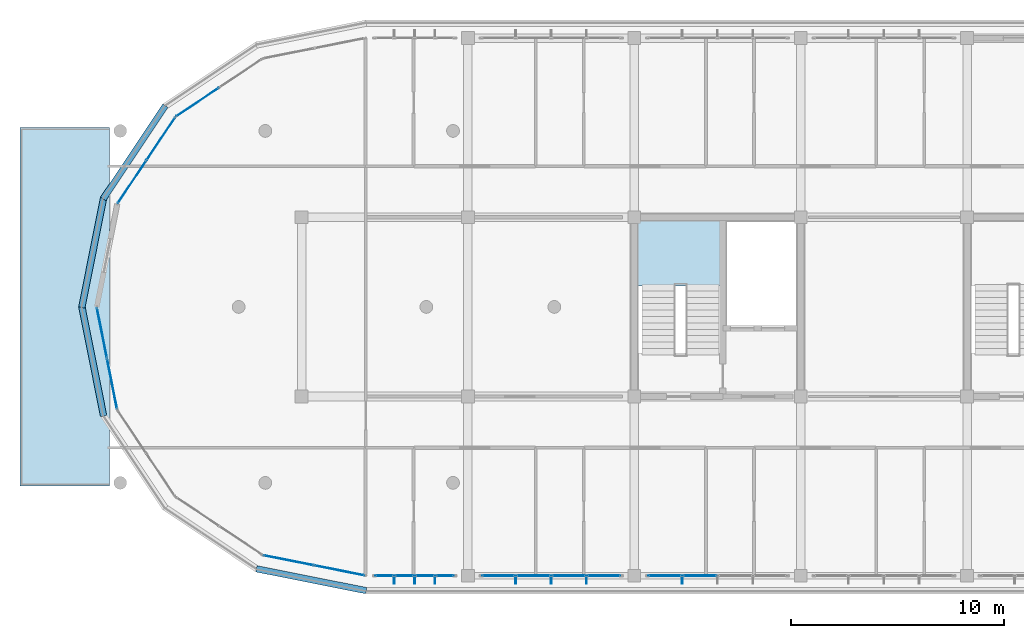
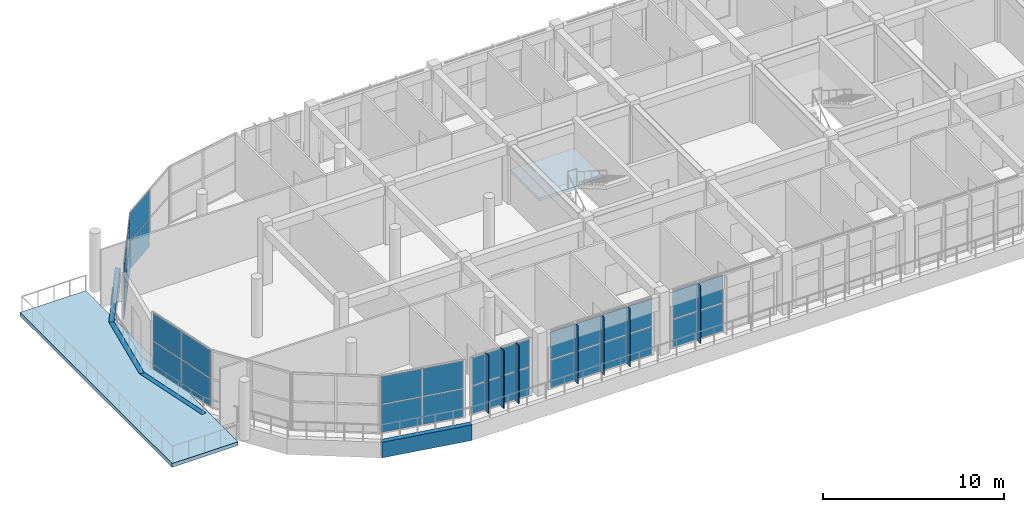
# One storey, part 36 of 56: 45 plates, 2 slabs, 8 elements without a shape of their own.
"""IFC4 building model written with IfcOpenShell, lengths in metres."""

from ifc_helpers import new_model, si_unit, direction, frame, origin, origin_2d, place, context, subcontext, project, spatial, polyline, rectangle, outline, extrude, material, layer, layer_set, type_object, element, aggregate, save


model = new_model("IFC4")

# Units and contexts
model_context = context("Model", 3, precision=1e-05, world=origin(), true_north=direction((0.0, 1.0)))
body_context = subcontext(model_context, "Body", "Model", "MODEL_VIEW")
ifc_project = project(units=[si_unit("LENGTHUNIT", "METRE"), si_unit("AREAUNIT", "SQUARE_METRE"), si_unit("VOLUMEUNIT", "CUBIC_METRE"), si_unit("PLANEANGLEUNIT", "RADIAN"), si_unit("MASSUNIT", "GRAM", prefix="KILO")], contexts=[model_context])

# Site, building, storey
site_placement = place(None, origin())
site = spatial("IfcSite", under=ifc_project, at=site_placement, CompositionType="ELEMENT")
building_placement = place(site_placement, origin())
building = spatial("IfcBuilding", under=site, at=building_placement, Name="Zizhar Promenade General Hospital", CompositionType="ELEMENT")
storey_placement = place(building_placement, frame((0.0, 0.0, 26.39990234375)))
storey = spatial("IfcBuildingStorey", under=building, at=storey_placement, Name="L06", CompositionType="ELEMENT", Elevation=26.39990234375)

# Curtain wall, plates
ifc_material_1 = material(Name="Anodised aluminium 6063-T6 and low-E glass", Category="aluminium")
ifc_layer_1 = layer(ifc_material_1, 0.159912109375)
ifc_layer_set_1 = layer_set([ifc_layer_1], Name="Anodised aluminium 6063-T6 and low-E glass")
curtain_wall_type_1 = type_object("IfcCurtainWallType", Name="CW-WARD-ARC", PredefinedType="NOTDEFINED", material=ifc_layer_set_1)
curtain_wall_1_placement = place(storey_placement, origin())
curtain_wall_1 = element("IfcCurtainWall", 1, at=curtain_wall_1_placement, inside=storey, type_object=curtain_wall_type_1, Name="Ward Semicircular End Glazing L06-11", PredefinedType="NOTDEFINED")
ifc_material_2 = material(Name="Low-E solar-control glass", Category="glass")
ifc_layer_2 = layer(ifc_material_2, 0.031982421875)
ifc_layer_set_2 = layer_set([ifc_layer_2], Name="Low-E solar-control glass")
plate_type_1 = type_object("IfcPlateType", Name="CWP-GLZ-32", PredefinedType="CURTAIN_PANEL", material=ifc_layer_set_2)
plate_1_placement = place(storey_placement, frame((26.324951171875, 22.20068359375, 0.06005859375), z_axis=(0.0, 0.0, 1.0), x_axis=(0.831461514468, 0.555582352095, 0.0)))
plate_1 = element("IfcPlate", 2, at=plate_1_placement, type_object=plate_type_1, Name="CW-12 panel 1.1", PredefinedType="CURTAIN_PANEL", context=body_context, shape_type="SweptSolid", body=[
    extrude(rectangle(XDim=2.3681640625, YDim=0.031982421875, at=origin_2d()), origin(), (0.0, 0.0, 1.0), 1.860107421875),
])
plate_2_placement = place(storey_placement, frame((26.324951171875, 22.20068359375, 1.97998046875), z_axis=(0.0, 0.0, 1.0), x_axis=(0.831461514468, 0.555582352095, 0.0)))
plate_2 = element("IfcPlate", 3, at=plate_2_placement, type_object=plate_type_1, Name="CW-12 panel 1.2", PredefinedType="CURTAIN_PANEL", context=body_context, shape_type="SweptSolid", body=[
    extrude(rectangle(XDim=2.3681640625, YDim=0.031982421875, at=origin_2d()), origin(), (0.0, 0.0, 1.0), 1.860107421875),
])
aggregate(curtain_wall_1, [plate_1, plate_2])

curtain_wall_2_placement = place(storey_placement, origin())
curtain_wall_2 = element("IfcCurtainWall", 4, at=curtain_wall_2_placement, inside=storey, type_object=curtain_wall_type_1, Name="Ward Semicircular End Glazing L06-12", PredefinedType="NOTDEFINED")
plate_3_placement = place(storey_placement, frame((23.250244140625, 18.456298828125, 0.06005859375), z_axis=(0.0, 0.0, 1.0), x_axis=(0.555582352095, 0.831461514468, 0.0)))
plate_3 = element("IfcPlate", 5, at=plate_3_placement, type_object=plate_type_1, Name="CW-12 panel 1.1", PredefinedType="CURTAIN_PANEL", context=body_context, shape_type="SweptSolid", body=[
    extrude(rectangle(XDim=2.3681640625, YDim=0.031982421875, at=origin_2d()), origin(), (0.0, 0.0, 1.0), 1.860107421875),
])
plate_4_placement = place(storey_placement, frame((23.250244140625, 18.456298828125, 1.97998046875), z_axis=(0.0, 0.0, 1.0), x_axis=(0.555582352095, 0.831461514468, 0.0)))
plate_4 = element("IfcPlate", 6, at=plate_4_placement, type_object=plate_type_1, Name="CW-12 panel 1.2", PredefinedType="CURTAIN_PANEL", context=body_context, shape_type="SweptSolid", body=[
    extrude(rectangle(XDim=2.3681640625, YDim=0.031982421875, at=origin_2d()), origin(), (0.0, 0.0, 1.0), 1.860107421875),
])
plate_5_placement = place(storey_placement, frame((24.599365234375, 20.47509765625, 0.06005859375), z_axis=(0.0, 0.0, 1.0), x_axis=(0.555582352095, 0.831461514468, 0.0)))
plate_5 = element("IfcPlate", 7, at=plate_5_placement, type_object=plate_type_1, Name="CW-12 panel 2.1", PredefinedType="CURTAIN_PANEL", context=body_context, shape_type="SweptSolid", body=[
    extrude(rectangle(XDim=2.3681640625, YDim=0.031982421875, at=origin_2d()), origin(), (0.0, 0.0, 1.0), 1.860107421875),
])
plate_6_placement = place(storey_placement, frame((24.599365234375, 20.47509765625, 1.97998046875), z_axis=(0.0, 0.0, 1.0), x_axis=(0.555582352095, 0.831461514468, 0.0)))
plate_6 = element("IfcPlate", 8, at=plate_6_placement, type_object=plate_type_1, Name="CW-12 panel 2.2", PredefinedType="CURTAIN_PANEL", context=body_context, shape_type="SweptSolid", body=[
    extrude(rectangle(XDim=2.3681640625, YDim=0.031982421875, at=origin_2d()), origin(), (0.0, 0.0, 1.0), 1.860107421875),
])
aggregate(curtain_wall_2, [plate_3, plate_4, plate_5, plate_6])

curtain_wall_3_placement = place(storey_placement, origin())
curtain_wall_3 = element("IfcCurtainWall", 9, at=curtain_wall_3_placement, inside=storey, type_object=curtain_wall_type_1, Name="Ward Semicircular End Glazing L06-14", PredefinedType="NOTDEFINED")
plate_7_placement = place(storey_placement, frame((22.31640625, 8.998291015625, 0.06005859375), z_axis=(0.0, 0.0, 1.0), x_axis=(-0.195087259275, 0.980785889615, 0.0)))
plate_7 = element("IfcPlate", 10, at=plate_7_placement, type_object=plate_type_1, Name="CW-12 panel 1.1", PredefinedType="CURTAIN_PANEL", context=body_context, shape_type="SweptSolid", body=[
    extrude(rectangle(XDim=2.3681640625, YDim=0.031982421875, at=origin_2d()), origin(), (0.0, 0.0, 1.0), 1.860107421875),
])
plate_8_placement = place(storey_placement, frame((22.31640625, 8.998291015625, 1.97998046875), z_axis=(0.0, 0.0, 1.0), x_axis=(-0.195087259275, 0.980785889615, 0.0)))
plate_8 = element("IfcPlate", 11, at=plate_8_placement, type_object=plate_type_1, Name="CW-12 panel 1.2", PredefinedType="CURTAIN_PANEL", context=body_context, shape_type="SweptSolid", body=[
    extrude(rectangle(XDim=2.3681640625, YDim=0.031982421875, at=origin_2d()), origin(), (0.0, 0.0, 1.0), 1.860107421875),
])
plate_9_placement = place(storey_placement, frame((21.8427734375, 11.3798828125, 0.06005859375), z_axis=(0.0, 0.0, 1.0), x_axis=(-0.195087259275, 0.980785889615, 0.0)))
plate_9 = element("IfcPlate", 12, at=plate_9_placement, type_object=plate_type_1, Name="CW-12 panel 2.1", PredefinedType="CURTAIN_PANEL", context=body_context, shape_type="SweptSolid", body=[
    extrude(rectangle(XDim=2.3681640625, YDim=0.031982421875, at=origin_2d()), origin(), (0.0, 0.0, 1.0), 1.860107421875),
])
plate_10_placement = place(storey_placement, frame((21.8427734375, 11.3798828125, 1.97998046875), z_axis=(0.0, 0.0, 1.0), x_axis=(-0.195087259275, 0.980785889615, 0.0)))
plate_10 = element("IfcPlate", 13, at=plate_10_placement, type_object=plate_type_1, Name="CW-12 panel 2.2", PredefinedType="CURTAIN_PANEL", context=body_context, shape_type="SweptSolid", body=[
    extrude(rectangle(XDim=2.3681640625, YDim=0.031982421875, at=origin_2d()), origin(), (0.0, 0.0, 1.0), 1.860107421875),
])
aggregate(curtain_wall_3, [plate_7, plate_8, plate_9, plate_10])

curtain_wall_4_placement = place(storey_placement, origin())
curtain_wall_4 = element("IfcCurtainWall", 14, at=curtain_wall_4_placement, inside=storey, type_object=curtain_wall_type_1, Name="Ward Semicircular End Glazing L06-17", PredefinedType="NOTDEFINED")
plate_11_placement = place(storey_placement, frame((32.979736328125, 0.24267578125, 0.06005859375), z_axis=(0.0, 0.0, 1.0), x_axis=(-0.980785889615, 0.195087259275, 0.0)))
plate_11 = element("IfcPlate", 15, at=plate_11_placement, type_object=plate_type_1, Name="CW-12 panel 1.1", PredefinedType="CURTAIN_PANEL", context=body_context, shape_type="SweptSolid", body=[
    extrude(rectangle(XDim=2.3681640625, YDim=0.031982421875, at=origin_2d()), origin(), (0.0, 0.0, 1.0), 1.860107421875),
])
plate_12_placement = place(storey_placement, frame((32.979736328125, 0.24267578125, 1.97998046875), z_axis=(0.0, 0.0, 1.0), x_axis=(-0.980785889615, 0.195087259275, 0.0)))
plate_12 = element("IfcPlate", 16, at=plate_12_placement, type_object=plate_type_1, Name="CW-12 panel 1.2", PredefinedType="CURTAIN_PANEL", context=body_context, shape_type="SweptSolid", body=[
    extrude(rectangle(XDim=2.3681640625, YDim=0.031982421875, at=origin_2d()), origin(), (0.0, 0.0, 1.0), 1.860107421875),
])
plate_13_placement = place(storey_placement, frame((30.598388671875, 0.71630859375, 0.06005859375), z_axis=(0.0, 0.0, 1.0), x_axis=(-0.980785889615, 0.195087259275, 0.0)))
plate_13 = element("IfcPlate", 17, at=plate_13_placement, type_object=plate_type_1, Name="CW-12 panel 2.1", PredefinedType="CURTAIN_PANEL", context=body_context, shape_type="SweptSolid", body=[
    extrude(rectangle(XDim=2.3681640625, YDim=0.031982421875, at=origin_2d()), origin(), (0.0, 0.0, 1.0), 1.860107421875),
])
plate_14_placement = place(storey_placement, frame((30.598388671875, 0.71630859375, 1.97998046875), z_axis=(0.0, 0.0, 1.0), x_axis=(-0.980785889615, 0.195087259275, 0.0)))
plate_14 = element("IfcPlate", 18, at=plate_14_placement, type_object=plate_type_1, Name="CW-12 panel 2.2", PredefinedType="CURTAIN_PANEL", context=body_context, shape_type="SweptSolid", body=[
    extrude(rectangle(XDim=2.3681640625, YDim=0.031982421875, at=origin_2d()), origin(), (0.0, 0.0, 1.0), 1.860107421875),
])
aggregate(curtain_wall_4, [plate_11, plate_12, plate_13, plate_14])

ifc_material_3 = material(Name="Anodised aluminium 6063-T6 and low-E glass", Category="aluminium")
ifc_layer_3 = layer(ifc_material_3, 0.159912109375)
ifc_layer_set_3 = layer_set([ifc_layer_3], Name="Anodised aluminium 6063-T6 and low-E glass")
curtain_wall_type_2 = type_object("IfcCurtainWallType", Name="CW-WARD-RIB", PredefinedType="NOTDEFINED", material=ifc_layer_set_3)
curtain_wall_5_placement = place(storey_placement, origin())
curtain_wall_5 = element("IfcCurtainWall", 19, at=curtain_wall_5_placement, inside=storey, type_object=curtain_wall_type_2, Name="Ward Ribbon Curtain Wall L06-17-8", PredefinedType="NOTDEFINED")
plate_15_placement = place(storey_placement, frame((49.8701171875, 0.0, 0.06005859375), z_axis=(0.0, 0.0, 1.0), x_axis=(-1.0, 0.0, 0.0)))
plate_15 = element("IfcPlate", 20, at=plate_15_placement, type_object=plate_type_1, Name="CW-13 panel 3.1", PredefinedType="CURTAIN_PANEL", context=body_context, shape_type="SweptSolid", body=[
    extrude(rectangle(XDim=1.580078125, YDim=0.031982421875, at=origin_2d()), origin(), (0.0, 0.0, 1.0), 1.860107421875),
])
plate_16_placement = place(storey_placement, frame((49.8701171875, 0.0, 1.97998046875), z_axis=(0.0, 0.0, 1.0), x_axis=(-1.0, 0.0, 0.0)))
plate_16 = element("IfcPlate", 21, at=plate_16_placement, type_object=plate_type_1, Name="CW-13 panel 3.2", PredefinedType="CURTAIN_PANEL", context=body_context, shape_type="SweptSolid", body=[
    extrude(rectangle(XDim=1.580078125, YDim=0.031982421875, at=origin_2d()), origin(), (0.0, 0.0, 1.0), 1.860107421875),
])
plate_17_placement = place(storey_placement, frame((48.22998046875, 0.0, 0.06005859375), z_axis=(0.0, 0.0, 1.0), x_axis=(-1.0, 0.0, 0.0)))
plate_17 = element("IfcPlate", 22, at=plate_17_placement, type_object=plate_type_1, Name="CW-13 panel 4.1", PredefinedType="CURTAIN_PANEL", context=body_context, shape_type="SweptSolid", body=[
    extrude(rectangle(XDim=1.5400390625, YDim=0.031982421875, at=origin_2d()), origin(), (0.0, 0.0, 1.0), 1.860107421875),
])
plate_18_placement = place(storey_placement, frame((48.22998046875, 0.0, 1.97998046875), z_axis=(0.0, 0.0, 1.0), x_axis=(-1.0, 0.0, 0.0)))
plate_18 = element("IfcPlate", 23, at=plate_18_placement, type_object=plate_type_1, Name="CW-13 panel 4.2", PredefinedType="CURTAIN_PANEL", context=body_context, shape_type="SweptSolid", body=[
    extrude(rectangle(XDim=1.5400390625, YDim=0.031982421875, at=origin_2d()), origin(), (0.0, 0.0, 1.0), 1.860107421875),
])
aggregate(curtain_wall_5, [plate_15, plate_16, plate_17, plate_18])

curtain_wall_6_placement = place(storey_placement, origin())
curtain_wall_6 = element("IfcCurtainWall", 24, at=curtain_wall_6_placement, inside=storey, type_object=curtain_wall_type_2, Name="Ward Ribbon Curtain Wall L06-17-9", PredefinedType="NOTDEFINED")
plate_19_placement = place(storey_placement, frame((45.3701171875, 0.0, 0.06005859375), z_axis=(0.0, 0.0, 1.0), x_axis=(-1.0, 0.0, 0.0)))
plate_19 = element("IfcPlate", 25, at=plate_19_placement, type_object=plate_type_1, Name="CW-13 panel 1.1", PredefinedType="CURTAIN_PANEL", context=body_context, shape_type="SweptSolid", body=[
    extrude(rectangle(XDim=1.5400390625, YDim=0.031982421875, at=origin_2d()), origin(), (0.0, 0.0, 1.0), 1.860107421875),
])
plate_20_placement = place(storey_placement, frame((45.3701171875, 0.0, 1.97998046875), z_axis=(0.0, 0.0, 1.0), x_axis=(-1.0, 0.0, 0.0)))
plate_20 = element("IfcPlate", 26, at=plate_20_placement, type_object=plate_type_1, Name="CW-13 panel 1.2", PredefinedType="CURTAIN_PANEL", context=body_context, shape_type="SweptSolid", body=[
    extrude(rectangle(XDim=1.5400390625, YDim=0.031982421875, at=origin_2d()), origin(), (0.0, 0.0, 1.0), 1.860107421875),
])
plate_21_placement = place(storey_placement, frame((43.72998046875, 0.0, 0.06005859375), z_axis=(0.0, 0.0, 1.0), x_axis=(-1.0, 0.0, 0.0)))
plate_21 = element("IfcPlate", 27, at=plate_21_placement, type_object=plate_type_1, Name="CW-13 panel 2.1", PredefinedType="CURTAIN_PANEL", context=body_context, shape_type="SweptSolid", body=[
    extrude(rectangle(XDim=1.580078125, YDim=0.031982421875, at=origin_2d()), origin(), (0.0, 0.0, 1.0), 1.860107421875),
])
plate_22_placement = place(storey_placement, frame((43.72998046875, 0.0, 1.97998046875), z_axis=(0.0, 0.0, 1.0), x_axis=(-1.0, 0.0, 0.0)))
plate_22 = element("IfcPlate", 28, at=plate_22_placement, type_object=plate_type_1, Name="CW-13 panel 2.2", PredefinedType="CURTAIN_PANEL", context=body_context, shape_type="SweptSolid", body=[
    extrude(rectangle(XDim=1.580078125, YDim=0.031982421875, at=origin_2d()), origin(), (0.0, 0.0, 1.0), 1.860107421875),
])
plate_23_placement = place(storey_placement, frame((42.070068359375, 0.0, 0.06005859375), z_axis=(0.0, 0.0, 1.0), x_axis=(-1.0, 0.0, 0.0)))
plate_23 = element("IfcPlate", 29, at=plate_23_placement, type_object=plate_type_1, Name="CW-13 panel 3.1", PredefinedType="CURTAIN_PANEL", context=body_context, shape_type="SweptSolid", body=[
    extrude(rectangle(XDim=1.580078125, YDim=0.031982421875, at=origin_2d()), origin(), (0.0, 0.0, 1.0), 1.860107421875),
])
plate_24_placement = place(storey_placement, frame((42.070068359375, 0.0, 1.97998046875), z_axis=(0.0, 0.0, 1.0), x_axis=(-1.0, 0.0, 0.0)))
plate_24 = element("IfcPlate", 30, at=plate_24_placement, type_object=plate_type_1, Name="CW-13 panel 3.2", PredefinedType="CURTAIN_PANEL", context=body_context, shape_type="SweptSolid", body=[
    extrude(rectangle(XDim=1.580078125, YDim=0.031982421875, at=origin_2d()), origin(), (0.0, 0.0, 1.0), 1.860107421875),
])
plate_25_placement = place(storey_placement, frame((40.429931640625, 0.0, 0.06005859375), z_axis=(0.0, 0.0, 1.0), x_axis=(-1.0, 0.0, 0.0)))
plate_25 = element("IfcPlate", 31, at=plate_25_placement, type_object=plate_type_1, Name="CW-13 panel 4.1", PredefinedType="CURTAIN_PANEL", context=body_context, shape_type="SweptSolid", body=[
    extrude(rectangle(XDim=1.5400390625, YDim=0.031982421875, at=origin_2d()), origin(), (0.0, 0.0, 1.0), 1.860107421875),
])
plate_26_placement = place(storey_placement, frame((40.429931640625, 0.0, 1.97998046875), z_axis=(0.0, 0.0, 1.0), x_axis=(-1.0, 0.0, 0.0)))
plate_26 = element("IfcPlate", 32, at=plate_26_placement, type_object=plate_type_1, Name="CW-13 panel 4.2", PredefinedType="CURTAIN_PANEL", context=body_context, shape_type="SweptSolid", body=[
    extrude(rectangle(XDim=1.5400390625, YDim=0.031982421875, at=origin_2d()), origin(), (0.0, 0.0, 1.0), 1.860107421875),
])
aggregate(curtain_wall_6, [plate_19, plate_20, plate_21, plate_22, plate_23, plate_24, plate_25, plate_26])

curtain_wall_7_placement = place(storey_placement, origin())
curtain_wall_7 = element("IfcCurtainWall", 33, at=curtain_wall_7_placement, inside=storey, type_object=curtain_wall_type_2, Name="Ward Ribbon Curtain Wall L06-17-10", PredefinedType="NOTDEFINED")
plate_27_placement = place(storey_placement, frame((37.919921875, 0.0, 0.06005859375), z_axis=(0.0, 0.0, 1.0), x_axis=(-1.0, 0.0, 0.0)))
plate_27 = element("IfcPlate", 34, at=plate_27_placement, type_object=plate_type_1, Name="CW-13 panel 1.1", PredefinedType="CURTAIN_PANEL", context=body_context, shape_type="SweptSolid", body=[
    extrude(rectangle(XDim=0.840087890625, YDim=0.031982421875, at=origin_2d()), origin(), (0.0, 0.0, 1.0), 1.860107421875),
])
plate_28_placement = place(storey_placement, frame((37.919921875, 0.0, 1.97998046875), z_axis=(0.0, 0.0, 1.0), x_axis=(-1.0, 0.0, 0.0)))
plate_28 = element("IfcPlate", 35, at=plate_28_placement, type_object=plate_type_1, Name="CW-13 panel 1.2", PredefinedType="CURTAIN_PANEL", context=body_context, shape_type="SweptSolid", body=[
    extrude(rectangle(XDim=0.840087890625, YDim=0.031982421875, at=origin_2d()), origin(), (0.0, 0.0, 1.0), 1.860107421875),
])
plate_29_placement = place(storey_placement, frame((36.97998046875, 0.0, 0.06005859375), z_axis=(0.0, 0.0, 1.0), x_axis=(-1.0, 0.0, 0.0)))
plate_29 = element("IfcPlate", 36, at=plate_29_placement, type_object=plate_type_1, Name="CW-13 panel 2.1", PredefinedType="CURTAIN_PANEL", context=body_context, shape_type="SweptSolid", body=[
    extrude(rectangle(XDim=0.8798828125, YDim=0.031982421875, at=origin_2d()), origin(), (0.0, 0.0, 1.0), 1.860107421875),
])
plate_30_placement = place(storey_placement, frame((36.97998046875, 0.0, 1.97998046875), z_axis=(0.0, 0.0, 1.0), x_axis=(-1.0, 0.0, 0.0)))
plate_30 = element("IfcPlate", 37, at=plate_30_placement, type_object=plate_type_1, Name="CW-13 panel 2.2", PredefinedType="CURTAIN_PANEL", context=body_context, shape_type="SweptSolid", body=[
    extrude(rectangle(XDim=0.8798828125, YDim=0.031982421875, at=origin_2d()), origin(), (0.0, 0.0, 1.0), 1.860107421875),
])
plate_31_placement = place(storey_placement, frame((36.02001953125, 0.0, 0.06005859375), z_axis=(0.0, 0.0, 1.0), x_axis=(-1.0, 0.0, 0.0)))
plate_31 = element("IfcPlate", 38, at=plate_31_placement, type_object=plate_type_1, Name="CW-13 panel 3.1", PredefinedType="CURTAIN_PANEL", context=body_context, shape_type="SweptSolid", body=[
    extrude(rectangle(XDim=0.8798828125, YDim=0.031982421875, at=origin_2d()), origin(), (0.0, 0.0, 1.0), 1.860107421875),
])
plate_32_placement = place(storey_placement, frame((36.02001953125, 0.0, 1.97998046875), z_axis=(0.0, 0.0, 1.0), x_axis=(-1.0, 0.0, 0.0)))
plate_32 = element("IfcPlate", 39, at=plate_32_placement, type_object=plate_type_1, Name="CW-13 panel 3.2", PredefinedType="CURTAIN_PANEL", context=body_context, shape_type="SweptSolid", body=[
    extrude(rectangle(XDim=0.8798828125, YDim=0.031982421875, at=origin_2d()), origin(), (0.0, 0.0, 1.0), 1.860107421875),
])
plate_33_placement = place(storey_placement, frame((35.080078125, 0.0, 0.06005859375), z_axis=(0.0, 0.0, 1.0), x_axis=(-1.0, 0.0, 0.0)))
plate_33 = element("IfcPlate", 40, at=plate_33_placement, type_object=plate_type_1, Name="CW-13 panel 4.1", PredefinedType="CURTAIN_PANEL", context=body_context, shape_type="SweptSolid", body=[
    extrude(rectangle(XDim=0.840087890625, YDim=0.031982421875, at=origin_2d()), origin(), (0.0, 0.0, 1.0), 1.860107421875),
])
plate_34_placement = place(storey_placement, frame((35.080078125, 0.0, 1.97998046875), z_axis=(0.0, 0.0, 1.0), x_axis=(-1.0, 0.0, 0.0)))
plate_34 = element("IfcPlate", 41, at=plate_34_placement, type_object=plate_type_1, Name="CW-13 panel 4.2", PredefinedType="CURTAIN_PANEL", context=body_context, shape_type="SweptSolid", body=[
    extrude(rectangle(XDim=0.840087890625, YDim=0.031982421875, at=origin_2d()), origin(), (0.0, 0.0, 1.0), 1.860107421875),
])
aggregate(curtain_wall_7, [plate_27, plate_28, plate_29, plate_30, plate_31, plate_32, plate_33, plate_34])

# Plates
ifc_material_4 = material(Name="Anodised aluminium 6063-T6", Category="aluminium")
ifc_layer_4 = layer(ifc_material_4, 0.035888671875)
ifc_layer_set_4 = layer_set([ifc_layer_4], Name="Anodised aluminium 6063-T6")
plate_type_2 = type_object("IfcPlateType", Name="FIN-ALU-380", PredefinedType="USERDEFINED", material=ifc_layer_set_4)
plate_35_placement = place(storey_placement, origin())
element("IfcPlate", 42, at=plate_35_placement, inside=storey, type_object=plate_type_2, Name="Ward Ribbon Curtain Wall L06-17-8 Solar Fin 3", ObjectType="SOLAR_SHADE", PredefinedType="USERDEFINED", context=body_context, shape_type="SweptSolid", body=[
    extrude(outline(polyline([(49.05810546875, 0.0), (49.02197265625, 0.0), (49.02197265625, -0.3798828125), (49.05810546875, -0.3798828125), (49.05810546875, 0.0)])), origin(), (0.0, 0.0, 1.0), 3.900146484375),
])
plate_36_placement = place(storey_placement, origin())
element("IfcPlate", 43, at=plate_36_placement, inside=storey, type_object=plate_type_2, Name="Ward Ribbon Curtain Wall L06-17-9 Solar Fin 1", ObjectType="SOLAR_SHADE", PredefinedType="USERDEFINED", context=body_context, shape_type="SweptSolid", body=[
    extrude(outline(polyline([(44.577880859375, 0.0), (44.5419921875, 0.0), (44.5419921875, -0.3798828125), (44.577880859375, -0.3798828125), (44.577880859375, 0.0)])), origin(), (0.0, 0.0, 1.0), 3.900146484375),
])
plate_37_placement = place(storey_placement, origin())
element("IfcPlate", 44, at=plate_37_placement, inside=storey, type_object=plate_type_2, Name="Ward Ribbon Curtain Wall L06-17-9 Solar Fin 2", ObjectType="SOLAR_SHADE", PredefinedType="USERDEFINED", context=body_context, shape_type="SweptSolid", body=[
    extrude(outline(polyline([(42.91796875, 0.0), (42.882080078125, 0.0), (42.882080078125, -0.3798828125), (42.91796875, -0.3798828125), (42.91796875, 0.0)])), origin(), (0.0, 0.0, 1.0), 3.900146484375),
])
plate_38_placement = place(storey_placement, origin())
element("IfcPlate", 45, at=plate_38_placement, inside=storey, type_object=plate_type_2, Name="Ward Ribbon Curtain Wall L06-17-9 Solar Fin 3", ObjectType="SOLAR_SHADE", PredefinedType="USERDEFINED", context=body_context, shape_type="SweptSolid", body=[
    extrude(outline(polyline([(41.258056640625, 0.0), (41.221923828125, 0.0), (41.221923828125, -0.3798828125), (41.258056640625, -0.3798828125), (41.258056640625, 0.0)])), origin(), (0.0, 0.0, 1.0), 3.900146484375),
])
plate_39_placement = place(storey_placement, origin())
element("IfcPlate", 46, at=plate_39_placement, inside=storey, type_object=plate_type_2, Name="Ward Ribbon Curtain Wall L06-17-10 Solar Fin 1", ObjectType="SOLAR_SHADE", PredefinedType="USERDEFINED", context=body_context, shape_type="SweptSolid", body=[
    extrude(outline(polyline([(37.47802734375, 0.0), (37.44189453125, 0.0), (37.44189453125, -0.3798828125), (37.47802734375, -0.3798828125), (37.47802734375, 0.0)])), origin(), (0.0, 0.0, 1.0), 3.900146484375),
])
plate_40_placement = place(storey_placement, origin())
element("IfcPlate", 47, at=plate_40_placement, inside=storey, type_object=plate_type_2, Name="Ward Ribbon Curtain Wall L06-17-10 Solar Fin 2", ObjectType="SOLAR_SHADE", PredefinedType="USERDEFINED", context=body_context, shape_type="SweptSolid", body=[
    extrude(outline(polyline([(36.51806640625, 0.0), (36.48193359375, 0.0), (36.48193359375, -0.3798828125), (36.51806640625, -0.3798828125), (36.51806640625, 0.0)])), origin(), (0.0, 0.0, 1.0), 3.900146484375),
])
plate_41_placement = place(storey_placement, origin())
element("IfcPlate", 48, at=plate_41_placement, inside=storey, type_object=plate_type_2, Name="Ward Ribbon Curtain Wall L06-17-10 Solar Fin 3", ObjectType="SOLAR_SHADE", PredefinedType="USERDEFINED", context=body_context, shape_type="SweptSolid", body=[
    extrude(outline(polyline([(35.55810546875, 0.0), (35.52197265625, 0.0), (35.52197265625, -0.3798828125), (35.55810546875, -0.3798828125), (35.55810546875, 0.0)])), origin(), (0.0, 0.0, 1.0), 3.900146484375),
])
ifc_material_5 = material(Name="Precast concrete C40/50", Category="concrete")
ifc_layer_5 = layer(ifc_material_5, 0.300048828125)
ifc_layer_set_5 = layer_set([ifc_layer_5], Name="Precast concrete C40/50")
plate_type_3 = type_object("IfcPlateType", Name="PL-PC-BAND1100", PredefinedType="USERDEFINED", material=ifc_layer_set_5)
plate_42_placement = place(storey_placement, frame((0.0, 0.0, -1.0498046875)))
element("IfcPlate", 49, at=plate_42_placement, inside=storey, type_object=plate_type_3, Name="Ward Precast Slab Band L06-12", ObjectType="FASCIA_BAND", PredefinedType="USERDEFINED", context=body_context, shape_type="SweptSolid", body=[
    extrude(outline(polyline([(24.689453125, 22.110595703125), (21.773681640625, 17.7470703125), (22.023193359375, 17.580322265625), (24.938720703125, 21.94384765625), (24.689453125, 22.110595703125)])), origin(), (0.0, 0.0, 1.0), 1.0498046875),
])
plate_43_placement = place(storey_placement, frame((0.0, 0.0, -1.0498046875)))
element("IfcPlate", 50, at=plate_43_placement, inside=storey, type_object=plate_type_3, Name="Ward Precast Slab Band L06-13", ObjectType="FASCIA_BAND", PredefinedType="USERDEFINED", context=body_context, shape_type="SweptSolid", body=[
    extrude(outline(polyline([(21.773681640625, 17.7470703125), (20.75, 12.60009765625), (21.044189453125, 12.54150390625), (22.068115234375, 17.688720703125), (21.773681640625, 17.7470703125)])), origin(), (0.0, 0.0, 1.0), 1.0498046875),
])
plate_44_placement = place(storey_placement, frame((0.0, 0.0, -1.0498046875)))
element("IfcPlate", 51, at=plate_44_placement, inside=storey, type_object=plate_type_3, Name="Ward Precast Slab Band L06-14", ObjectType="FASCIA_BAND", PredefinedType="USERDEFINED", context=body_context, shape_type="SweptSolid", body=[
    extrude(outline(polyline([(20.75, 12.60009765625), (21.773681640625, 7.452880859375), (22.068115234375, 7.511474609375), (21.044189453125, 12.658447265625), (20.75, 12.60009765625)])), origin(), (0.0, 0.0, 1.0), 1.0498046875),
])
plate_45_placement = place(storey_placement, frame((0.0, 0.0, -1.0498046875)))
element("IfcPlate", 52, at=plate_45_placement, inside=storey, type_object=plate_type_3, Name="Ward Precast Slab Band L06-17", ObjectType="FASCIA_BAND", PredefinedType="USERDEFINED", context=body_context, shape_type="SweptSolid", body=[
    extrude(outline(polyline([(29.052978515625, 0.173828125), (34.199951171875, -0.85009765625), (34.258544921875, -0.555908203125), (29.111328125, 0.468017578125), (29.052978515625, 0.173828125)])), origin(), (0.0, 0.0, 1.0), 1.0498046875),
])

# Stair, slab
ifc_material_6 = material(Name="Concrete C35/45", Category="concrete")
stair_type = type_object("IfcStairType", Name="STR-DOG-420", PredefinedType="HALF_TURN_STAIR", material=ifc_material_6)
stair_placement = place(storey_placement, origin())
stair = element("IfcStair", 53, at=stair_placement, inside=storey, type_object=stair_type, Name="Exit Stair ST-02 (L06 to L07)", PredefinedType="HALF_TURN_STAIR")
ifc_material_7 = material(Name="Concrete C35/45", Category="concrete")
ifc_layer_6 = layer(ifc_material_7, 0.2099609375)
ifc_layer_set_6 = layer_set([ifc_layer_6], Name="Concrete C35/45")
slab_type_1 = type_object("IfcSlabType", Name="SLB-LAND-420", PredefinedType="LANDING", material=ifc_layer_set_6)
slab_1_placement = place(storey_placement, frame((0.0, 0.0, 1.89013671875)))
slab_1 = element("IfcSlab", 54, at=slab_1_placement, type_object=slab_type_1, Name="ST-02C landing 1", PredefinedType="LANDING", context=body_context, shape_type="SweptSolid", body=[
    extrude(outline(polyline([(46.800048828125, 13.570068359375), (50.949951171875, 13.570068359375), (50.949951171875, 16.800048828125), (46.800048828125, 16.800048828125), (46.800048828125, 13.570068359375)])), origin(), (0.0, 0.0, 1.0), 0.2099609375),
])
aggregate(stair, [slab_1])

# Slab
ifc_material_8 = material(Name="Concrete C35/45", Category="concrete")
ifc_layer_7 = layer(ifc_material_8, 0.25)
ifc_layer_set_7 = layer_set([ifc_layer_7], Name="Concrete C35/45")
slab_type_2 = type_object("IfcSlabType", Name="SLB-TERR-250", PredefinedType="ROOF", material=ifc_layer_set_7)
slab_2_placement = place(storey_placement, frame((0.0, 0.0, -0.25)))
element("IfcSlab", 55, at=slab_2_placement, inside=storey, type_object=slab_type_2, Name="Level L06 West Recovery Terrace Slab", PredefinedType="ROOF", context=body_context, shape_type="SweptSolid", body=[
    extrude(outline(polyline([(18.0, 4.199951171875), (22.199951171875, 4.199951171875), (22.199951171875, 21.0), (18.0, 21.0), (18.0, 4.199951171875)])), origin(), (0.0, 0.0, 1.0), 0.25),
])

save(model, "model.ifc")
